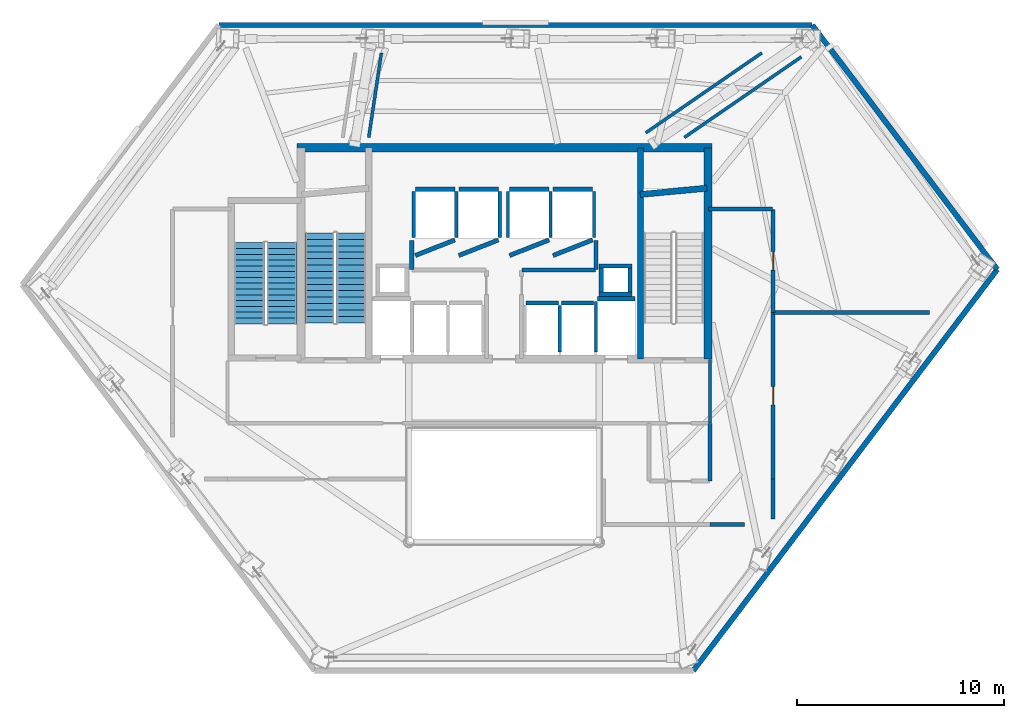
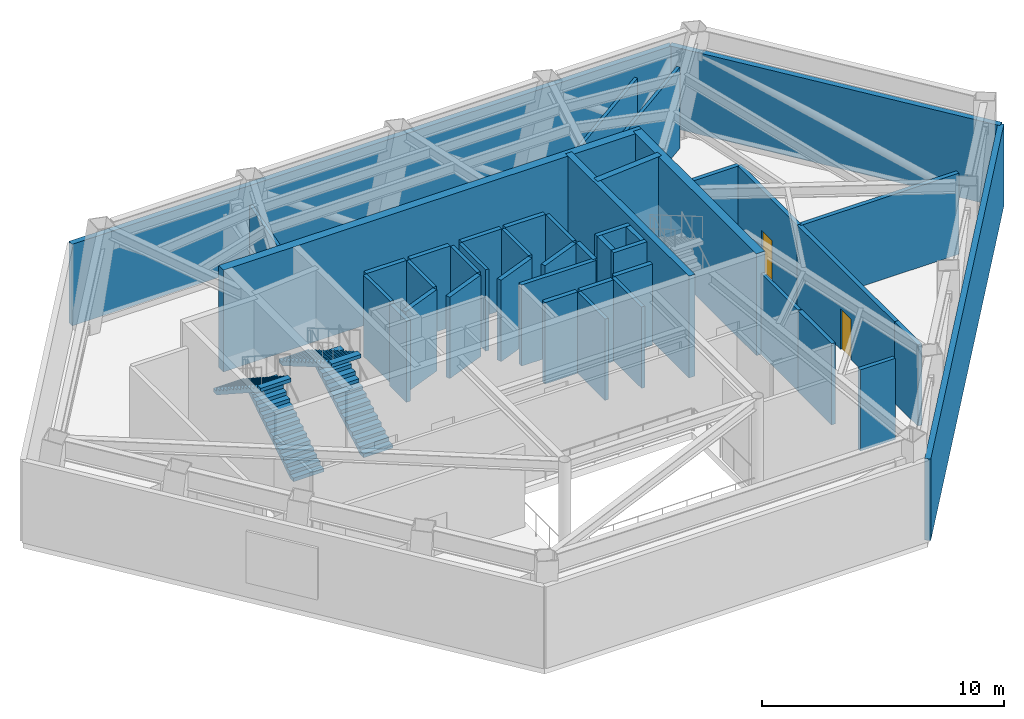
# One storey, part 6 of 9: 44 walls, 4 stair flights, 2 doors, 2 openings, 2 elements without a shape of their own.
"""IFC4 building model written with IfcOpenShell, lengths in metres."""

from ifc_helpers import new_model, si_unit, direction, frame, frame_2d, origin, place, context, subcontext, project, spatial, polyline, rectangle, outline, extrude, material, layer, layer_set, type_object, element, fill, aggregate, save


model = new_model("IFC4")

# Units and contexts
model_context = context("Model", 3, precision=1e-05, world=origin(), true_north=direction((0.0, 1.0)))
body_context = subcontext(model_context, "Body", "Model", "MODEL_VIEW")
ifc_project = project(units=[si_unit("LENGTHUNIT", "METRE"), si_unit("AREAUNIT", "SQUARE_METRE"), si_unit("VOLUMEUNIT", "CUBIC_METRE"), si_unit("PLANEANGLEUNIT", "RADIAN"), si_unit("MASSUNIT", "GRAM", prefix="KILO")], contexts=[model_context])

# Site, building, storey
site_placement = place(None, origin())
site = spatial("IfcSite", under=ifc_project, at=site_placement, CompositionType="ELEMENT")
building_placement = place(site_placement, origin())
building = spatial("IfcBuilding", under=site, at=building_placement, Name="Zarrinselat Tower", CompositionType="ELEMENT")
storey_placement = place(building_placement, frame((0.0, 0.0, 109.139892578125)))
storey = spatial("IfcBuildingStorey", under=building, at=storey_placement, Name="L26", CompositionType="ELEMENT", Elevation=109.139892578125)

# Walls
ifc_material_1 = material(Name="Honed Cream Travertine Stone", Category="masonry")
ifc_layer_1 = layer(ifc_material_1, 0.260009765625)
ifc_layer_set_1 = layer_set([ifc_layer_1], Name="Honed Cream Travertine Stone")
wall_type_1 = type_object("IfcWallType", Name="WAL-EXT-STONE-260", PredefinedType="STANDARD", material=ifc_layer_set_1)
wall_1_placement = place(storey_placement, frame((24.635498046875, 49.38330078125, 0.0), z_axis=(0.0, 0.0, 1.0), x_axis=(1.0, 0.0, 0.0)))
element("IfcWall", 1, at=wall_1_placement, inside=storey, type_object=wall_type_1, Name="L26 Mechanical Plant Travertine Perimeter Wall 1", PredefinedType="STANDARD", context=body_context, shape_type="SweptSolid", body=[
    extrude(rectangle(XDim=28.64990234375, YDim=0.260009765625, at=frame_2d((14.324951171875, 0.0))), origin(), (0.0, 0.0, 1.0), 4.1171875),
])
wall_2_placement = place(storey_placement, frame((47.543701171875, 18.19287109375, 0.0), z_axis=(0.0, 0.0, 1.0), x_axis=(0.603854402188, 0.797094637391, 0.0)))
element("IfcWall", 2, at=wall_2_placement, inside=storey, type_object=wall_type_1, Name="L26 Mechanical Plant Travertine Perimeter Wall 5", PredefinedType="STANDARD", context=body_context, shape_type="SweptSolid", body=[
    extrude(rectangle(XDim=24.3193359375, YDim=0.260009765625, at=frame_2d((12.15966796875, 0.0))), origin(), (0.0, 0.0, 1.0), 4.1171875),
])
wall_3_placement = place(storey_placement, frame((53.285400390625, 49.38330078125, 0.0), z_axis=(0.0, 0.0, 1.0), x_axis=(0.603854196945, -0.797094792877, 0.0)))
element("IfcWall", 3, at=wall_3_placement, inside=storey, type_object=wall_type_1, Name="L26 Mechanical Plant Travertine Perimeter Wall 6", PredefinedType="STANDARD", context=body_context, shape_type="SweptSolid", body=[
    extrude(rectangle(XDim=14.810791015625, YDim=0.260009765625, at=frame_2d((7.4052734375, 0.0))), origin(), (0.0, 0.0, 1.0), 4.1171875),
])
ifc_material_2 = material(Name="Concrete C40/50", Category="concrete")
ifc_layer_2 = layer(ifc_material_2, 0.18994140625)
ifc_layer_set_2 = layer_set([ifc_layer_2], Name="Concrete C40/50")
wall_type_2 = type_object("IfcWallType", Name="WAL-PART-EI120", PredefinedType="PARTITIONING", material=ifc_layer_set_2)
wall_4_placement = place(storey_placement, frame((48.35009765625, 27.3701171875, 0.0), z_axis=(0.0, 0.0, 1.0), x_axis=(0.0, 1.0, 0.0)))
element("IfcWall", 4, at=wall_4_placement, inside=storey, type_object=wall_type_2, Name="L26 Partition Wall 13", PredefinedType="PARTITIONING", context=body_context, shape_type="SweptSolid", body=[
    extrude(rectangle(XDim=2.759765625, YDim=0.18994140625, at=frame_2d((1.3798828125, 0.0))), origin(), (0.0, 0.0, 1.0), 4.09716796875),
])
wall_5_placement = place(storey_placement, frame((48.35009765625, 25.25, 0.0), z_axis=(0.0, 0.0, 1.0), x_axis=(1.0, 0.0, 0.0)))
element("IfcWall", 5, at=wall_5_placement, inside=storey, type_object=wall_type_2, Name="L26 Partition Wall 14", PredefinedType="PARTITIONING", context=body_context, shape_type="SweptSolid", body=[
    extrude(rectangle(XDim=1.664794921875, YDim=0.18994140625, at=frame_2d((0.83251953125, 0.0))), origin(), (0.0, 0.0, 1.0), 4.09716796875),
])
ifc_material_3 = material(Name="Fire-Rated Gypsum Board Partition", Category="gypsum")
ifc_layer_3 = layer(ifc_material_3, 0.14990234375)
ifc_layer_set_3 = layer_set([ifc_layer_3], Name="Fire-Rated Gypsum Board Partition")
wall_type_3 = type_object("IfcWallType", Name="WAL-PART-EI60", PredefinedType="PARTITIONING", material=ifc_layer_set_3)
wall_6_placement = place(storey_placement, frame((48.35009765625, 30.169921875, 0.0), z_axis=(0.0, 0.0, 1.0), x_axis=(0.0, 1.0, 0.0)))
element("IfcWall", 6, at=wall_6_placement, inside=storey, type_object=wall_type_3, Name="L26 Partition Wall 8", PredefinedType="PARTITIONING", context=body_context, shape_type="SweptSolid", body=[
    extrude(rectangle(XDim=3.06005859375, YDim=0.14990234375, at=frame_2d((1.530029296875, 0.0))), origin(), (0.0, 0.0, 1.0), 4.09716796875),
])
ifc_material_4 = material(Name="Concrete C40/50", Category="concrete")
ifc_layer_4 = layer(ifc_material_4, 0.199951171875)
ifc_layer_set_4 = layer_set([ifc_layer_4], Name="Concrete C40/50")
wall_type_4 = type_object("IfcWallType", Name="WAL-PART-PLANT", PredefinedType="PARTITIONING", material=ifc_layer_set_4)
for number, where, z_axis, x_axis, name in (
    (7, (33.949951171875, 37.570068359375, 0.0), (0.0, 0.0, 1.0), (0.0, 1.0, 0.0), "L26 Partition Wall 3"),
    (8, (42.85009765625, 37.570068359375, 0.0), (0.0, 0.0, 1.0), (0.0, 1.0, 0.0), "L26 Partition Wall 4"),
):
    element("IfcWall", number, at=place(storey_placement, frame(where, z_axis=z_axis, x_axis=x_axis)), inside=storey, type_object=wall_type_4, Name=name, PredefinedType="PARTITIONING", context=body_context, shape_type="SweptSolid", body=[
        extrude(rectangle(XDim=1.4150390625, YDim=0.199951171875, at=frame_2d((0.70751953125, 0.0))), origin(), (0.0, 0.0, 1.0), 4.09716796875),
    ])
wall_7_placement = place(storey_placement, frame((39.27001953125, 37.550048828125, 0.0), z_axis=(0.0, 0.0, 1.0), x_axis=(1.0, 0.0, 0.0)))
element("IfcWall", 9, at=wall_7_placement, inside=storey, type_object=wall_type_4, Name="L26 Partition Wall 5", PredefinedType="PARTITIONING", context=body_context, shape_type="SweptSolid", body=[
    extrude(rectangle(XDim=3.56005859375, YDim=0.199951171875, at=frame_2d((1.780029296875, 0.0))), origin(), (0.0, 0.0, 1.0), 4.09716796875),
])

# Wall, opening, door
wall_8_placement = place(storey_placement, frame((51.39990234375, 27.449951171875, 0.0), z_axis=(0.0, 0.0, 1.0), x_axis=(0.0, 1.0, 0.0)))
wall_8 = element("IfcWall", 10, at=wall_8_placement, inside=storey, type_object=wall_type_4, Name="L26 Partition Wall 22", PredefinedType="PARTITIONING", context=body_context, shape_type="SweptSolid", body=[
    extrude(rectangle(XDim=8.045166015625, YDim=0.199951171875, at=frame_2d((4.0224609375, 0.0))), origin(), (0.0, 0.0, 1.0), 4.09716796875),
])
opening_1_placement = place(wall_8_placement, frame((3.58251953125, 0.0, 0.0)))
opening_1 = element("IfcOpeningElement", 11, at=opening_1_placement, cuts=wall_8, Name="Opening ID-03", PredefinedType="OPENING", context=body_context, shape_type="SweptSolid", body=[
    extrude(rectangle(XDim=0.8798828125, YDim=2.050048828125, at=frame_2d((0.43994140625, 1.02490234375))), frame((0.0, 0.10986328125, 0.0), z_axis=(0.0, -1.0, 0.0), x_axis=(1.0, 0.0, 0.0)), (0.0, 0.0, 1.0), 0.219970703125),
])
ifc_material_5 = material(Name="Steel S355J2", Category="steel")
door_type = type_object("IfcDoorType", Name="DR-INT-FD60-S", OperationType="NOTDEFINED", PredefinedType="DOOR", material=ifc_material_5)
door_1_placement = place(opening_1_placement, origin())
door_1 = element("IfcDoor", 12, at=door_1_placement, inside=storey, type_object=door_type, Name="L26 Interior Door P22", OperationType="SINGLE_SWING_RIGHT", OverallHeight=2.050048828125, OverallWidth=0.8798828125, PredefinedType="DOOR", context=body_context, shape_type="SweptSolid", body=[
    extrude(rectangle(XDim=0.8798828125, YDim=2.050048828125, at=frame_2d((0.43994140625, 1.02490234375))), frame((0.0, 0.02490234375, 0.0), z_axis=(0.0, -1.0, 0.0), x_axis=(1.0, 0.0, 0.0)), (0.0, 0.0, 1.0), 0.050048828125),
])
fill(opening_1, door_1)

# Walls
wall_9_placement = place(storey_placement, frame((51.39990234375, 25.518798828125, 0.0), z_axis=(0.0, 0.0, 1.0), x_axis=(0.0, 1.0, 0.0)))
element("IfcWall", 13, at=wall_9_placement, inside=storey, type_object=wall_type_4, Name="L26 Partition Wall 23", PredefinedType="PARTITIONING", context=body_context, shape_type="SweptSolid", body=[
    extrude(rectangle(XDim=1.93115234375, YDim=0.199951171875, at=frame_2d((0.965576171875, 0.0))), origin(), (0.0, 0.0, 1.0), 4.09716796875),
])
wall_10_placement = place(storey_placement, frame((48.27490234375, 40.5, 0.0), z_axis=(0.0, 0.0, 1.0), x_axis=(1.0, 0.0, 0.0)))
element("IfcWall", 14, at=wall_10_placement, inside=storey, type_object=wall_type_4, Name="L26 Partition Wall 24", PredefinedType="PARTITIONING", context=body_context, shape_type="SweptSolid", body=[
    extrude(rectangle(XDim=3.10498046875, YDim=0.199951171875, at=frame_2d((1.552490234375, 0.0))), origin(), (0.0, 0.0, 1.0), 4.09716796875),
])

# Wall, opening, door
wall_11_placement = place(storey_placement, frame((51.39990234375, 35.5048828125, 0.0), z_axis=(0.0, 0.0, 1.0), x_axis=(0.0, 1.0, 0.0)))
wall_11 = element("IfcWall", 15, at=wall_11_placement, inside=storey, type_object=wall_type_4, Name="L26 Partition Wall 25", PredefinedType="PARTITIONING", context=body_context, shape_type="SweptSolid", body=[
    extrude(rectangle(XDim=4.97509765625, YDim=0.199951171875, at=frame_2d((2.487548828125, 0.0))), origin(), (0.0, 0.0, 1.0), 4.09716796875),
])
opening_2_placement = place(wall_11_placement, frame((2.047607421875, 0.0, 0.0)))
opening_2 = element("IfcOpeningElement", 16, at=opening_2_placement, cuts=wall_11, Name="Opening ID-03", PredefinedType="OPENING", context=body_context, shape_type="SweptSolid", body=[
    extrude(rectangle(XDim=0.8798828125, YDim=2.050048828125, at=frame_2d((0.43994140625, 1.02490234375))), frame((0.0, 0.10986328125, 0.0), z_axis=(0.0, -1.0, 0.0), x_axis=(1.0, 0.0, 0.0)), (0.0, 0.0, 1.0), 0.219970703125),
])
door_2_placement = place(opening_2_placement, origin())
door_2 = element("IfcDoor", 17, at=door_2_placement, inside=storey, type_object=door_type, Name="L26 Interior Door P25", OperationType="SINGLE_SWING_LEFT", OverallHeight=2.050048828125, OverallWidth=0.8798828125, PredefinedType="DOOR", context=body_context, shape_type="SweptSolid", body=[
    extrude(rectangle(XDim=0.8798828125, YDim=2.050048828125, at=frame_2d((0.43994140625, 1.02490234375))), frame((0.0, 0.02490234375, 0.0), z_axis=(0.0, -1.0, 0.0), x_axis=(1.0, 0.0, 0.0)), (0.0, 0.0, 1.0), 0.050048828125),
])
fill(opening_2, door_2)

# Walls
wall_12_placement = place(storey_placement, frame((51.419921875, 35.5, 0.0), z_axis=(0.0, 0.0, 1.0), x_axis=(1.0, 0.0, 0.0)))
element("IfcWall", 18, at=wall_12_placement, inside=storey, type_object=wall_type_4, Name="L26 Partition Wall 26", PredefinedType="PARTITIONING", context=body_context, shape_type="SweptSolid", body=[
    extrude(rectangle(XDim=7.54150390625, YDim=0.199951171875, at=frame_2d((3.770751953125, 0.0))), origin(), (0.0, 0.0, 1.0), 4.09716796875),
])
ifc_material_6 = material(Name="Fire-Rated Gypsum Board Partition", Category="gypsum")
ifc_layer_5 = layer(ifc_material_6, 0.1201171875)
ifc_layer_set_5 = layer_set([ifc_layer_5], Name="Fire-Rated Gypsum Board Partition")
wall_type_5 = type_object("IfcWallType", Name="WAL-PART-STD", PredefinedType="PARTITIONING", material=ifc_layer_set_5)
wall_13_placement = place(storey_placement, frame((31.8701171875, 43.949951171875, 0.0), z_axis=(0.0, 0.0, 1.0), x_axis=(0.148065752314, 0.988977518952, 0.0)))
element("IfcWall", 19, at=wall_13_placement, inside=storey, type_object=wall_type_5, Name="L26 Outrigger Truss Zone 16 Fire Partition 1", PredefinedType="PARTITIONING", context=body_context, shape_type="SweptSolid", body=[
    extrude(rectangle(XDim=4.128662109375, YDim=0.14990234375, at=frame_2d((2.064453125, 0.0))), origin(), (0.0, 0.0, 1.0), 4.09716796875),
])
wall_14_placement = place(storey_placement, frame((47.111083984375, 43.949951171875, 0.0), z_axis=(0.0, 0.0, 1.0), x_axis=(0.823532726925, 0.56726876142, 0.0)))
element("IfcWall", 20, at=wall_14_placement, inside=storey, type_object=wall_type_5, Name="L26 Outrigger Truss Zone 17 Fire Partition 1", PredefinedType="PARTITIONING", context=body_context, shape_type="SweptSolid", body=[
    extrude(rectangle(XDim=6.859375, YDim=0.14990234375, at=frame_2d((3.4296875, 0.0))), origin(), (0.0, 0.0, 1.0), 4.09716796875),
])
wall_15_placement = place(storey_placement, frame((45.248291015625, 44.172607421875, 0.0), z_axis=(0.0, 0.0, 1.0), x_axis=(0.823549681686, 0.56724414655, 0.0)))
element("IfcWall", 21, at=wall_15_placement, inside=storey, type_object=wall_type_5, Name="L26 Outrigger Truss Zone 17 Fire Partition 2", PredefinedType="PARTITIONING", context=body_context, shape_type="SweptSolid", body=[
    extrude(rectangle(XDim=6.805908203125, YDim=0.14990234375, at=frame_2d((3.40283203125, 0.0))), origin(), (0.0, 0.0, 1.0), 4.09716796875),
])
ifc_material_7 = material(Name="Concrete C40/50", Category="concrete")
ifc_layer_6 = layer(ifc_material_7, 0.2099609375)
ifc_layer_set_6 = layer_set([ifc_layer_6], Name="Concrete C40/50")
wall_type_6 = type_object("IfcWallType", Name="WAL-SHAFT-210", PredefinedType="SOLIDWALL", material=ifc_layer_set_6)
wall_16_placement = place(storey_placement, frame((42.919921875, 36.155029296875, 0.0), z_axis=(0.0, 0.0, 1.0), x_axis=(1.0, 0.0, 0.0)))
element("IfcWall", 22, at=wall_16_placement, inside=storey, type_object=wall_type_6, Name="L26 Lift FFL2 North Shaft Wall", PredefinedType="SOLIDWALL", context=body_context, shape_type="SweptSolid", body=[
    extrude(rectangle(XDim=1.800048828125, YDim=0.2099609375, at=frame_2d((0.89990234375, 0.0))), origin(), (0.0, 0.0, 1.0), 4.112060546875),
])
wall_17_placement = place(storey_placement, frame((42.85009765625, 33.580078125, 0.0), z_axis=(0.0, 0.0, 1.0), x_axis=(0.0, 1.0, 0.0)))
element("IfcWall", 23, at=wall_17_placement, inside=storey, type_object=wall_type_6, Name="L26 Lift FFL2 W Shaft Wall", PredefinedType="SOLIDWALL", context=body_context, shape_type="SweptSolid", body=[
    extrude(rectangle(XDim=2.449951171875, YDim=0.159912109375, at=frame_2d((1.22509765625, 0.0))), origin(), (0.0, 0.0, 1.0), 4.112060546875),
])
wall_18_placement = place(storey_placement, frame((34.1201171875, 38.25, 0.0), z_axis=(0.0, 0.0, 1.0), x_axis=(0.930804993012, 0.36551616241, 0.0)))
element("IfcWall", 24, at=wall_18_placement, inside=storey, type_object=wall_type_6, Name="L26 Lift PL1 Front Shaft Wall", PredefinedType="SOLIDWALL", context=body_context, shape_type="SweptSolid", body=[
    extrude(rectangle(XDim=2.052001953125, YDim=0.2099609375, at=frame_2d((1.02587890625, 0.0))), origin(), (0.0, 0.0, 1.0), 4.112060546875),
])
wall_19_placement = place(storey_placement, frame((34.1201171875, 41.455078125, 0.0), z_axis=(0.0, 0.0, 1.0), x_axis=(1.0, 0.0, 0.0)))
element("IfcWall", 25, at=wall_19_placement, inside=storey, type_object=wall_type_6, Name="L26 Lift PL1 Rear Shaft Wall", PredefinedType="SOLIDWALL", context=body_context, shape_type="SweptSolid", body=[
    extrude(rectangle(XDim=1.909912109375, YDim=0.2099609375, at=frame_2d((0.955078125, 0.0))), origin(), (0.0, 0.0, 1.0), 4.112060546875),
])
for number, where, z_axis, x_axis, name in (
    (26, (34.050048828125, 39.1201171875, 0.0), (0.0, 0.0, 1.0), (0.0, 1.0, 0.0), "L26 Lift PL1 W Shaft Wall"),
    (27, (36.10009765625, 39.1201171875, 0.0), (0.0, 0.0, 1.0), (0.0, 1.0, 0.0), "L26 Lift PL1 E Shaft Wall"),
):
    element("IfcWall", number, at=place(storey_placement, frame(where, z_axis=z_axis, x_axis=x_axis)), inside=storey, type_object=wall_type_6, Name=name, PredefinedType="SOLIDWALL", context=body_context, shape_type="SweptSolid", body=[
        extrude(rectangle(XDim=2.2099609375, YDim=0.159912109375, at=frame_2d((1.10498046875, 0.0))), origin(), (0.0, 0.0, 1.0), 4.112060546875),
    ])
wall_20_placement = place(storey_placement, frame((36.219970703125, 38.25, 0.0), z_axis=(0.0, 0.0, 1.0), x_axis=(0.930804993012, 0.36551616241, 0.0)))
element("IfcWall", 28, at=wall_20_placement, inside=storey, type_object=wall_type_6, Name="L26 Lift PL2 Front Shaft Wall", PredefinedType="SOLIDWALL", context=body_context, shape_type="SweptSolid", body=[
    extrude(rectangle(XDim=2.052001953125, YDim=0.2099609375, at=frame_2d((1.02587890625, 0.0))), origin(), (0.0, 0.0, 1.0), 4.112060546875),
])
wall_21_placement = place(storey_placement, frame((36.219970703125, 41.455078125, 0.0), z_axis=(0.0, 0.0, 1.0), x_axis=(1.0, 0.0, 0.0)))
element("IfcWall", 29, at=wall_21_placement, inside=storey, type_object=wall_type_6, Name="L26 Lift PL2 Rear Shaft Wall", PredefinedType="SOLIDWALL", context=body_context, shape_type="SweptSolid", body=[
    extrude(rectangle(XDim=1.909912109375, YDim=0.2099609375, at=frame_2d((0.955078125, 0.0))), origin(), (0.0, 0.0, 1.0), 4.112060546875),
])
wall_22_placement = place(storey_placement, frame((38.199951171875, 39.1201171875, 0.0), z_axis=(0.0, 0.0, 1.0), x_axis=(0.0, 1.0, 0.0)))
element("IfcWall", 30, at=wall_22_placement, inside=storey, type_object=wall_type_6, Name="L26 Lift PL2 E Shaft Wall", PredefinedType="SOLIDWALL", context=body_context, shape_type="SweptSolid", body=[
    extrude(rectangle(XDim=2.2099609375, YDim=0.159912109375, at=frame_2d((1.10498046875, 0.0))), origin(), (0.0, 0.0, 1.0), 4.112060546875),
])
wall_23_placement = place(storey_placement, frame((38.669921875, 38.25, 0.0), z_axis=(0.0, 0.0, 1.0), x_axis=(0.930820886763, 0.3654756856, 0.0)))
element("IfcWall", 31, at=wall_23_placement, inside=storey, type_object=wall_type_6, Name="L26 Lift PL3 Front Shaft Wall", PredefinedType="SOLIDWALL", context=body_context, shape_type="SweptSolid", body=[
    extrude(rectangle(XDim=2.052001953125, YDim=0.2099609375, at=frame_2d((1.02587890625, 0.0))), origin(), (0.0, 0.0, 1.0), 4.112060546875),
])
wall_24_placement = place(storey_placement, frame((38.669921875, 41.455078125, 0.0), z_axis=(0.0, 0.0, 1.0), x_axis=(1.0, 0.0, 0.0)))
element("IfcWall", 32, at=wall_24_placement, inside=storey, type_object=wall_type_6, Name="L26 Lift PL3 Rear Shaft Wall", PredefinedType="SOLIDWALL", context=body_context, shape_type="SweptSolid", body=[
    extrude(rectangle(XDim=1.91015625, YDim=0.2099609375, at=frame_2d((0.955078125, 0.0))), origin(), (0.0, 0.0, 1.0), 4.112060546875),
])
for number, where, z_axis, x_axis, name in (
    (33, (38.60009765625, 39.1201171875, 0.0), (0.0, 0.0, 1.0), (0.0, 1.0, 0.0), "L26 Lift PL3 W Shaft Wall"),
    (34, (40.64990234375, 39.1201171875, 0.0), (0.0, 0.0, 1.0), (0.0, 1.0, 0.0), "L26 Lift PL3 E Shaft Wall"),
):
    element("IfcWall", number, at=place(storey_placement, frame(where, z_axis=z_axis, x_axis=x_axis)), inside=storey, type_object=wall_type_6, Name=name, PredefinedType="SOLIDWALL", context=body_context, shape_type="SweptSolid", body=[
        extrude(rectangle(XDim=2.2099609375, YDim=0.159912109375, at=frame_2d((1.10498046875, 0.0))), origin(), (0.0, 0.0, 1.0), 4.112060546875),
    ])
wall_25_placement = place(storey_placement, frame((40.77001953125, 38.25, 0.0), z_axis=(0.0, 0.0, 1.0), x_axis=(0.930804993012, 0.36551616241, 0.0)))
element("IfcWall", 35, at=wall_25_placement, inside=storey, type_object=wall_type_6, Name="L26 Lift PL4 Front Shaft Wall", PredefinedType="SOLIDWALL", context=body_context, shape_type="SweptSolid", body=[
    extrude(rectangle(XDim=2.052001953125, YDim=0.2099609375, at=frame_2d((1.02587890625, 0.0))), origin(), (0.0, 0.0, 1.0), 4.112060546875),
])
wall_26_placement = place(storey_placement, frame((40.77001953125, 41.455078125, 0.0), z_axis=(0.0, 0.0, 1.0), x_axis=(1.0, 0.0, 0.0)))
element("IfcWall", 36, at=wall_26_placement, inside=storey, type_object=wall_type_6, Name="L26 Lift PL4 Rear Shaft Wall", PredefinedType="SOLIDWALL", context=body_context, shape_type="SweptSolid", body=[
    extrude(rectangle(XDim=1.909912109375, YDim=0.2099609375, at=frame_2d((0.955078125, 0.0))), origin(), (0.0, 0.0, 1.0), 4.112060546875),
])
wall_27_placement = place(storey_placement, frame((42.75, 39.1201171875, 0.0), z_axis=(0.0, 0.0, 1.0), x_axis=(0.0, 1.0, 0.0)))
element("IfcWall", 37, at=wall_27_placement, inside=storey, type_object=wall_type_6, Name="L26 Lift PL4 E Shaft Wall", PredefinedType="SOLIDWALL", context=body_context, shape_type="SweptSolid", body=[
    extrude(rectangle(XDim=2.2099609375, YDim=0.159912109375, at=frame_2d((1.10498046875, 0.0))), origin(), (0.0, 0.0, 1.0), 4.112060546875),
])
wall_28_placement = place(storey_placement, frame((39.469970703125, 35.955078125, 0.0), z_axis=(0.0, 0.0, 1.0), x_axis=(1.0, 0.0, 0.0)))
element("IfcWall", 38, at=wall_28_placement, inside=storey, type_object=wall_type_6, Name="L26 Lift PL8 North Shaft Wall", PredefinedType="SOLIDWALL", context=body_context, shape_type="SweptSolid", body=[
    extrude(rectangle(XDim=1.56005859375, YDim=0.2099609375, at=frame_2d((0.780029296875, 0.0))), origin(), (0.0, 0.0, 1.0), 4.112060546875),
])
wall_29_placement = place(storey_placement, frame((41.10009765625, 33.580078125, 0.0), z_axis=(0.0, 0.0, 1.0), x_axis=(0.0, 1.0, 0.0)))
element("IfcWall", 39, at=wall_29_placement, inside=storey, type_object=wall_type_6, Name="L26 Lift PL8 E Shaft Wall", PredefinedType="SOLIDWALL", context=body_context, shape_type="SweptSolid", body=[
    extrude(rectangle(XDim=2.25, YDim=0.159912109375, at=frame_2d((1.125, 0.0))), origin(), (0.0, 0.0, 1.0), 4.112060546875),
])
wall_30_placement = place(storey_placement, frame((41.169921875, 35.955078125, 0.0), z_axis=(0.0, 0.0, 1.0), x_axis=(1.0, 0.0, 0.0)))
element("IfcWall", 40, at=wall_30_placement, inside=storey, type_object=wall_type_6, Name="L26 Lift PL9 North Shaft Wall", PredefinedType="SOLIDWALL", context=body_context, shape_type="SweptSolid", body=[
    extrude(rectangle(XDim=1.56005859375, YDim=0.2099609375, at=frame_2d((0.780029296875, 0.0))), origin(), (0.0, 0.0, 1.0), 4.112060546875),
])
for number, where, z_axis, x_axis, name in (
    (41, (42.989990234375, 36.375, 0.0), (0.0, 0.0, 1.0), (1.0, 0.0, 0.0), "L26 Core Riser RSR-E S Shaft Wall"),
    (42, (42.989990234375, 37.7451171875, 0.0), (0.0, 0.0, 1.0), (1.0, 0.0, 0.0), "L26 Core Riser RSR-E N Shaft Wall"),
):
    element("IfcWall", number, at=place(storey_placement, frame(where, z_axis=z_axis, x_axis=x_axis)), inside=storey, type_object=wall_type_6, Name=name, PredefinedType="SOLIDWALL", context=body_context, shape_type="SweptSolid", body=[
        extrude(rectangle(XDim=1.60009765625, YDim=0.2099609375, at=frame_2d((0.800048828125, 0.0))), origin(), (0.0, 0.0, 1.0), 5.14013671875),
    ])
for number, where, z_axis, x_axis, name in (
    (43, (43.094970703125, 36.485107421875, 0.0), (0.0, 0.0, 1.0), (0.0, 1.0, 0.0), "L26 Core Riser RSR-E W Shaft Wall"),
    (44, (44.485107421875, 36.485107421875, 0.0), (0.0, 0.0, 1.0), (0.0, 1.0, 0.0), "L26 Core Riser RSR-E E Shaft Wall"),
):
    element("IfcWall", number, at=place(storey_placement, frame(where, z_axis=z_axis, x_axis=x_axis)), inside=storey, type_object=wall_type_6, Name=name, PredefinedType="SOLIDWALL", context=body_context, shape_type="SweptSolid", body=[
        extrude(rectangle(XDim=1.14990234375, YDim=0.2099609375, at=frame_2d((0.574951171875, 0.0))), origin(), (0.0, 0.0, 1.0), 5.14013671875),
    ])
ifc_material_8 = material(Name="Concrete C40/50", Category="concrete")
ifc_layer_7 = layer(ifc_material_8, 0.300048828125)
ifc_layer_set_7 = layer_set([ifc_layer_7], Name="Concrete C40/50")
wall_type_7 = type_object("IfcWallType", Name="WAL-SHEAR-300", PredefinedType="SHEAR", material=ifc_layer_set_7)
wall_31_placement = place(storey_placement, frame((44.989990234375, 33.25, 0.0), z_axis=(0.0, 0.0, 1.0), x_axis=(0.0, 1.0, 0.0)))
element("IfcWall", 45, at=wall_31_placement, inside=storey, type_object=wall_type_7, Name="L26 Core Shear Wall ST2W", PredefinedType="SHEAR", context=body_context, shape_type="SweptSolid", body=[
    extrude(rectangle(XDim=10.199951171875, YDim=0.300048828125, at=frame_2d((5.10009765625, 0.0))), origin(), (0.0, 0.0, 1.0), 5.14013671875),
])
wall_32_placement = place(storey_placement, frame((44.97998046875, 41.199951171875, 0.0), z_axis=(0.0, 0.0, 1.0), x_axis=(0.995686468965, 0.09278176286, 0.0)))
element("IfcWall", 46, at=wall_32_placement, inside=storey, type_object=wall_type_7, Name="L26 Stair 2 North Shaft Wall", PredefinedType="SHEAR", context=body_context, shape_type="SweptSolid", body=[
    extrude(rectangle(XDim=3.23388671875, YDim=0.300048828125, at=frame_2d((1.616943359375, 0.0))), origin(), (0.0, 0.0, 1.0), 5.14013671875),
])
ifc_material_9 = material(Name="Concrete C60/75", Category="concrete")
ifc_layer_8 = layer(ifc_material_9, 0.39990234375)
ifc_layer_set_8 = layer_set([ifc_layer_8], Name="Concrete C60/75")
wall_type_8 = type_object("IfcWallType", Name="WAL-SHEAR-400", PredefinedType="SHEAR", material=ifc_layer_set_8)
wall_33_placement = place(storey_placement, frame((28.39990234375, 43.449951171875, 0.0), z_axis=(0.0, 0.0, 1.0), x_axis=(1.0, 0.0, 0.0)))
element("IfcWall", 47, at=wall_33_placement, inside=storey, type_object=wall_type_8, Name="L26 North Core Shear Wall", PredefinedType="SHEAR", context=body_context, shape_type="SweptSolid", body=[
    extrude(rectangle(XDim=20.06005859375, YDim=0.39990234375, at=frame_2d((10.030029296875, 0.0))), origin(), (0.0, 0.0, 1.0), 5.14013671875),
])
wall_34_placement = place(storey_placement, frame((48.260009765625, 33.25, 0.0), z_axis=(0.0, 0.0, 1.0), x_axis=(0.0, 1.0, 0.0)))
element("IfcWall", 48, at=wall_34_placement, inside=storey, type_object=wall_type_8, Name="L26 Core Shear Wall E", PredefinedType="SHEAR", context=body_context, shape_type="SweptSolid", body=[
    extrude(rectangle(XDim=10.199951171875, YDim=0.39990234375, at=frame_2d((5.10009765625, 0.0))), origin(), (0.0, 0.0, 1.0), 5.14013671875),
])

# Stair, stair flights
ifc_material_10 = material(Name="Concrete C40/50", Category="concrete")
stair_type_1 = type_object("IfcStairType", Name="STR-CORE-145", PredefinedType="HALF_TURN_STAIR", material=ifc_material_10)
stair_1_placement = place(storey_placement, origin())
stair_1 = element("IfcStair", 49, at=stair_1_placement, inside=storey, type_object=stair_type_1, Name="L26 Podium & Mid-Tower Exit Stair 3", PredefinedType="HALF_TURN_STAIR")
ifc_material_11 = material(Name="Concrete C40/50", Category="concrete")
stair_flight_type_1 = type_object("IfcStairFlightType", Name="STR-FLT-145", PredefinedType="STRAIGHT", material=ifc_material_11)
stair_flight_1_placement = place(storey_placement, frame((27.675048828125, 34.949951171875, 0.0), z_axis=(0.0, 0.0, 1.0), x_axis=(0.0, 1.0, 0.0)))
stair_flight_1 = element("IfcStairFlight", 50, at=stair_flight_1_placement, type_object=stair_flight_type_1, Name="ST-3 flight 1", NumberOfRisers=15, NumberOfTreads=14, PredefinedType="STRAIGHT", RiserHeight=0.181333333, TreadLength=0.28, context=body_context, shape_type="SweptSolid", body=[
    extrude(outline(polyline([(0.0, 0.0), (0.0, 0.181396484375), (0.280029296875, 0.181396484375), (0.280029296875, 0.362548828125), (0.56005859375, 0.362548828125), (0.56005859375, 0.5439453125), (0.840087890625, 0.5439453125), (0.840087890625, 0.725341796875), (1.1201171875, 0.725341796875), (1.1201171875, 0.90673828125), (1.39990234375, 0.90673828125), (1.39990234375, 1.087890625), (1.679931640625, 1.087890625), (1.679931640625, 1.269287109375), (1.9599609375, 1.269287109375), (1.9599609375, 1.45068359375), (2.239990234375, 1.45068359375), (2.239990234375, 1.632080078125), (2.52001953125, 1.632080078125), (2.52001953125, 1.813232421875), (2.800048828125, 1.813232421875), (2.800048828125, 1.99462890625), (3.080078125, 1.99462890625), (3.080078125, 2.176025390625), (3.360107421875, 2.176025390625), (3.360107421875, 2.357421875), (3.639892578125, 2.357421875), (3.639892578125, 2.53857421875), (3.919921875, 2.53857421875), (3.919921875, 2.719970703125), (3.919921875, 2.360107421875), (0.27587890625, 0.0), (0.0, 0.0)])), frame((0.0, 0.72509765625, 0.0), z_axis=(0.0, -1.0, 0.0), x_axis=(1.0, 0.0, 0.0)), (0.0, 0.0, 1.0), 1.449951171875),
])
stair_flight_2_placement = place(storey_placement, frame((26.10498046875, 38.8701171875, 2.72021484375), z_axis=(0.0, 0.0, 1.0), x_axis=(0.0, -1.0, 0.0)))
stair_flight_2 = element("IfcStairFlight", 51, at=stair_flight_2_placement, type_object=stair_flight_type_1, Name="ST-3 flight 2", NumberOfRisers=15, NumberOfTreads=14, PredefinedType="STRAIGHT", RiserHeight=0.181333333, TreadLength=0.28, context=body_context, shape_type="SweptSolid", body=[
    extrude(outline(polyline([(0.0, 0.0), (0.0, 0.181396484375), (0.280029296875, 0.181396484375), (0.280029296875, 0.362548828125), (0.56005859375, 0.362548828125), (0.56005859375, 0.5439453125), (0.840087890625, 0.5439453125), (0.840087890625, 0.725341796875), (1.1201171875, 0.725341796875), (1.1201171875, 0.90673828125), (1.39990234375, 0.90673828125), (1.39990234375, 1.087890625), (1.679931640625, 1.087890625), (1.679931640625, 1.269287109375), (1.9599609375, 1.269287109375), (1.9599609375, 1.45068359375), (2.239990234375, 1.45068359375), (2.239990234375, 1.632080078125), (2.52001953125, 1.632080078125), (2.52001953125, 1.813232421875), (2.800048828125, 1.813232421875), (2.800048828125, 1.99462890625), (3.080078125, 1.99462890625), (3.080078125, 2.176025390625), (3.360107421875, 2.176025390625), (3.360107421875, 2.357421875), (3.639892578125, 2.357421875), (3.639892578125, 2.53857421875), (3.919921875, 2.53857421875), (3.919921875, 2.719970703125), (3.919921875, 2.360107421875), (0.27587890625, 0.0), (0.0, 0.0)])), frame((0.0, 0.72509765625, 0.0), z_axis=(0.0, -1.0, 0.0), x_axis=(1.0, 0.0, 0.0)), (0.0, 0.0, 1.0), 1.449951171875),
])
aggregate(stair_1, [stair_flight_1, stair_flight_2])

ifc_material_12 = material(Name="Concrete C40/50", Category="concrete")
stair_type_2 = type_object("IfcStairType", Name="STR-CORE-155", PredefinedType="HALF_TURN_STAIR", material=ifc_material_12)
stair_2_placement = place(storey_placement, origin())
stair_2 = element("IfcStair", 52, at=stair_2_placement, inside=storey, type_object=stair_type_2, Name="L26 Core Exit Stair 1", PredefinedType="HALF_TURN_STAIR")
ifc_material_13 = material(Name="Concrete C40/50", Category="concrete")
stair_flight_type_2 = type_object("IfcStairFlightType", Name="STR-FLT-155", PredefinedType="STRAIGHT", material=ifc_material_13)
stair_flight_3_placement = place(storey_placement, frame((31.02001953125, 35.0, 0.0), z_axis=(0.0, 0.0, 1.0), x_axis=(0.0, 1.0, 0.0)))
stair_flight_3 = element("IfcStairFlight", 53, at=stair_flight_3_placement, type_object=stair_flight_type_2, Name="ST-1 flight 1", NumberOfRisers=15, NumberOfTreads=14, PredefinedType="STRAIGHT", RiserHeight=0.181333333, TreadLength=0.31, context=body_context, shape_type="SweptSolid", body=[
    extrude(outline(polyline([(0.0, 0.0), (0.0, 0.181396484375), (0.31005859375, 0.181396484375), (0.31005859375, 0.362548828125), (0.6201171875, 0.362548828125), (0.6201171875, 0.5439453125), (0.929931640625, 0.5439453125), (0.929931640625, 0.725341796875), (1.239990234375, 0.725341796875), (1.239990234375, 0.90673828125), (1.550048828125, 0.90673828125), (1.550048828125, 1.087890625), (1.860107421875, 1.087890625), (1.860107421875, 1.269287109375), (2.169921875, 1.269287109375), (2.169921875, 1.45068359375), (2.47998046875, 1.45068359375), (2.47998046875, 1.632080078125), (2.7900390625, 1.632080078125), (2.7900390625, 1.813232421875), (3.10009765625, 1.813232421875), (3.10009765625, 1.99462890625), (3.409912109375, 1.99462890625), (3.409912109375, 2.176025390625), (3.719970703125, 2.176025390625), (3.719970703125, 2.357421875), (4.030029296875, 2.357421875), (4.030029296875, 2.53857421875), (4.340087890625, 2.53857421875), (4.340087890625, 2.719970703125), (4.340087890625, 2.364990234375), (0.296875, 0.0), (0.0, 0.0)])), frame((0.0, 0.699951171875, 0.0), z_axis=(0.0, -1.0, 0.0), x_axis=(1.0, 0.0, 0.0)), (0.0, 0.0, 1.0), 1.39990234375),
])
stair_flight_4_placement = place(storey_placement, frame((29.5, 39.340087890625, 2.72021484375), z_axis=(0.0, 0.0, 1.0), x_axis=(0.0, -1.0, 0.0)))
stair_flight_4 = element("IfcStairFlight", 54, at=stair_flight_4_placement, type_object=stair_flight_type_2, Name="ST-1 flight 2", NumberOfRisers=15, NumberOfTreads=14, PredefinedType="STRAIGHT", RiserHeight=0.181333333, TreadLength=0.31, context=body_context, shape_type="SweptSolid", body=[
    extrude(outline(polyline([(0.0, 0.0), (0.0, 0.181396484375), (0.31005859375, 0.181396484375), (0.31005859375, 0.362548828125), (0.6201171875, 0.362548828125), (0.6201171875, 0.5439453125), (0.929931640625, 0.5439453125), (0.929931640625, 0.725341796875), (1.239990234375, 0.725341796875), (1.239990234375, 0.90673828125), (1.550048828125, 0.90673828125), (1.550048828125, 1.087890625), (1.860107421875, 1.087890625), (1.860107421875, 1.269287109375), (2.169921875, 1.269287109375), (2.169921875, 1.45068359375), (2.47998046875, 1.45068359375), (2.47998046875, 1.632080078125), (2.7900390625, 1.632080078125), (2.7900390625, 1.813232421875), (3.10009765625, 1.813232421875), (3.10009765625, 1.99462890625), (3.409912109375, 1.99462890625), (3.409912109375, 2.176025390625), (3.719970703125, 2.176025390625), (3.719970703125, 2.357421875), (4.030029296875, 2.357421875), (4.030029296875, 2.53857421875), (4.340087890625, 2.53857421875), (4.340087890625, 2.719970703125), (4.340087890625, 2.364990234375), (0.296875, 0.0), (0.0, 0.0)])), frame((0.0, 0.699951171875, 0.0), z_axis=(0.0, -1.0, 0.0), x_axis=(1.0, 0.0, 0.0)), (0.0, 0.0, 1.0), 1.39990234375),
])
aggregate(stair_2, [stair_flight_3, stair_flight_4])

save(model, "model.ifc")
